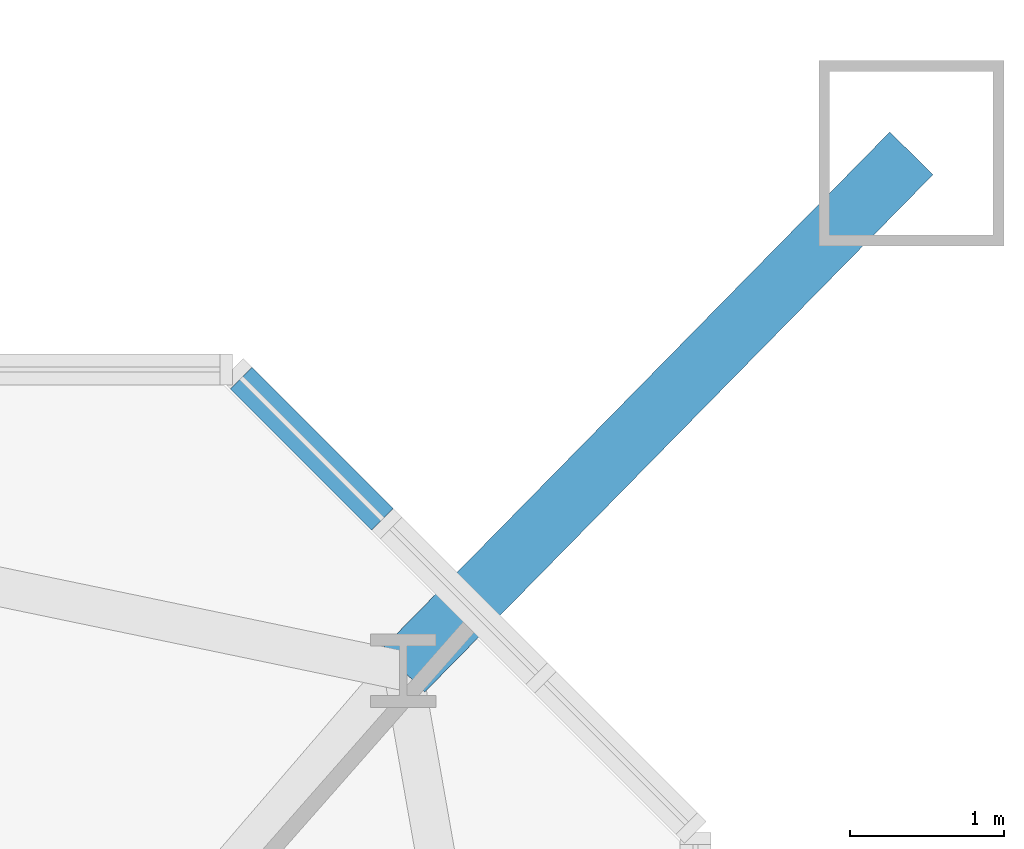
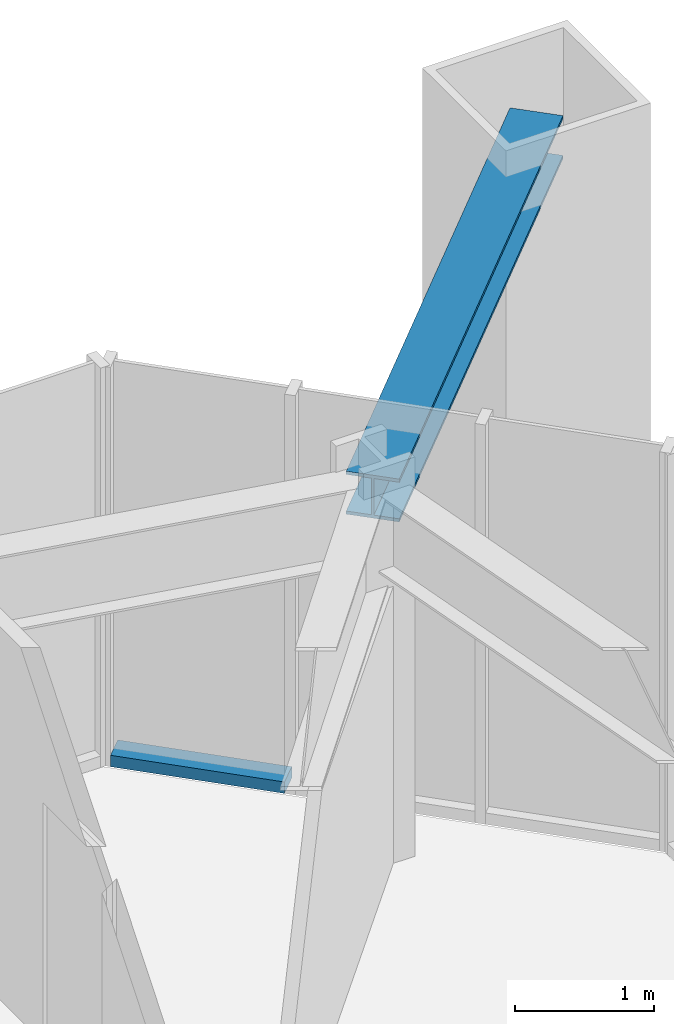
# One storey, part 11 of 26: 2 members, 1 element without a shape of its own.
"""IFC4 building model written with IfcOpenShell, lengths in metres."""

import ifcopenshell
import ifcopenshell.guid

model = None  # the IFC model being written
_history = None  # IfcOwnerHistory: only IFC2X3 demands one
_inside = {}  # id of a spatial element -> (the spatial element, [elements in it])
_under = {}  # id of a project, library or spatial element -> (it, [spatial elements below it])
_declared = {}  # id of a project -> (the project, [libraries it declares])
_typed = {}  # id of a type object -> (the type object, [elements of that type])
_made_of = {}  # id of a material, layer set ... -> (it, [elements and type objects made of it])


def new_model(schema):
    """Start an empty IFC model of exactly this schema.

    Asked for "IFC4X3", IfcOpenShell would pick the latest addendum, in which some entities
    have other attributes; the version numbers below select the first issue.
    IFC2X3 requires an IfcOwnerHistory on every rooted entity: one is made here for all.
    """
    global model, _history
    if schema == "IFC4X3":
        model = ifcopenshell.file(schema_version=(4, 3, 0, 0))
    else:
        model = ifcopenshell.file(schema=schema)
    _inside.clear()
    _under.clear()
    _declared.clear()
    _typed.clear()
    _made_of.clear()
    _history = None
    if model.schema == "IFC2X3":
        org = make("IfcOrganization", Name="unknown")
        user = make(
            "IfcPersonAndOrganization",
            ThePerson=make("IfcPerson", FamilyName="unknown"),
            TheOrganization=org,
        )
        app = make(
            "IfcApplication",
            ApplicationDeveloper=org,
            Version="unknown",
            ApplicationFullName="unknown",
            ApplicationIdentifier="unknown",
        )
        _history = make(
            "IfcOwnerHistory",
            OwningUser=user,
            OwningApplication=app,
            ChangeAction="ADDED",
            CreationDate=0,
        )
    return model


def make(cls, **values):
    """One entity of the class cls with the attributes given. An attribute that is None is left unset."""
    return model.create_entity(
        cls, **{name: value for name, value in values.items() if value is not None}
    )


def rooted(cls, **values):
    """An entity with a GlobalId (a new one), such as an element, a storey or a relation."""
    return make(cls, GlobalId=ifcopenshell.guid.new(), OwnerHistory=_history, **values)


def si_unit(unit_type, name, prefix=None):
    """IfcSIUnit, for example si_unit("LENGTHUNIT", "METRE", prefix="MILLI")."""
    return make("IfcSIUnit", UnitType=unit_type, Prefix=prefix, Name=name)


def assignment(units):
    """IfcUnitAssignment: the units of a project."""
    return None if units is None else make("IfcUnitAssignment", Units=units)


def point(xyz):
    """IfcCartesianPoint."""
    return None if xyz is None else make("IfcCartesianPoint", Coordinates=xyz)


def direction(xyz):
    """IfcDirection."""
    return None if xyz is None else make("IfcDirection", DirectionRatios=xyz)


def frame(location, z_axis=None, x_axis=None):
    """IfcAxis2Placement3D, a coordinate frame: its origin and axes. An axis left out is left unset."""
    return make(
        "IfcAxis2Placement3D",
        Location=point(location),
        Axis=direction(z_axis),
        RefDirection=direction(x_axis),
    )


def frame_2d(location, x_axis=None):
    """IfcAxis2Placement2D, a coordinate frame in the plane: its origin and x axis."""
    return make(
        "IfcAxis2Placement2D", Location=point(location), RefDirection=direction(x_axis)
    )


def origin():
    """The frame at (0, 0, 0) with its axes left unset."""
    return frame((0.0, 0.0, 0.0))


def origin_2d():
    """The frame at (0, 0) in the plane with its x axis left unset."""
    return frame_2d((0.0, 0.0))


def place(relative_to, where):
    """IfcLocalPlacement: puts the frame where relative to a parent placement (None: the world)."""
    return make(
        "IfcLocalPlacement", PlacementRelTo=relative_to, RelativePlacement=where
    )


def context(
    kind, dimensions, precision=None, world=None, true_north=None, identifier=None
):
    """IfcGeometricRepresentationContext, for example the 3D "Model" context."""
    return make(
        "IfcGeometricRepresentationContext",
        ContextIdentifier=identifier,
        ContextType=kind,
        CoordinateSpaceDimension=dimensions,
        Precision=precision,
        WorldCoordinateSystem=world,
        TrueNorth=true_north,
    )


def subcontext(parent, identifier, kind, view, scale=None):
    """IfcGeometricRepresentationSubContext, for example "Body" below "Model"."""
    return make(
        "IfcGeometricRepresentationSubContext",
        ContextIdentifier=identifier,
        ContextType=kind,
        ParentContext=parent,
        TargetScale=scale,
        TargetView=view,
    )


def project(units=None, contexts=None):
    """IfcProject with its units and contexts."""
    return rooted(
        "IfcProject",
        Name="project",
        RepresentationContexts=contexts,
        UnitsInContext=assignment(units),
    )


def spatial(cls, under=None, at=None, **own):
    """A site, building, storey or space (cls), placed at a placement, below another one or the project."""
    s = rooted(cls, ObjectPlacement=at, **own)
    if under is not None:
        _under.setdefault(under.id(), (under, []))[1].append(s)
    return s


def profile(cls, at=None, kind="AREA", **sizes):
    """A parametric profile (cls). Its sizes go by their IFC names, for example OverallWidth=200.0."""
    return make(cls, ProfileType=kind, Position=at, **sizes)


def rectangle(**sizes):
    """IfcRectangleProfileDef."""
    return profile("IfcRectangleProfileDef", **sizes)


def i_section(**sizes):
    """IfcIShapeProfileDef."""
    return profile("IfcIShapeProfileDef", **sizes)


def extrude(swept, where, along, depth):
    """IfcExtrudedAreaSolid: the profile swept, set in the frame where, extruded along a direction by depth."""
    return make(
        "IfcExtrudedAreaSolid",
        SweptArea=swept,
        Position=where,
        ExtrudedDirection=direction(along),
        Depth=depth,
    )


def shape(context_of_items, identifier, shape_type, items):
    """IfcShapeRepresentation: the items that make up one representation, for example the "Body"."""
    return make(
        "IfcShapeRepresentation",
        ContextOfItems=context_of_items,
        RepresentationIdentifier=identifier,
        RepresentationType=shape_type,
        Items=items,
    )


def material(Name=None, Category=None):
    """IfcMaterial."""
    return make("IfcMaterial", Name=Name, Category=Category)


def material_profile(
    of_material, cross_section, Name=None, Category=None, Priority=None
):
    """IfcMaterialProfile: a cross section and its material."""
    return make(
        "IfcMaterialProfile",
        Name=Name,
        Material=of_material,
        Profile=cross_section,
        Priority=Priority,
        Category=Category,
    )


def profile_set(profiles, Name=None, composite=None):
    """IfcMaterialProfileSet."""
    return make(
        "IfcMaterialProfileSet",
        Name=Name,
        MaterialProfiles=profiles,
        CompositeProfile=composite,
    )


def made_of(thing, what):
    """Note that an element or type object is made of a material, layer set ...; save() writes the relation."""
    if what is not None:
        _made_of.setdefault(what.id(), (what, []))[1].append(thing)
    return thing


def type_object(cls, material=None, **own):
    """A type object (cls), such as IfcWallType, which elements share."""
    return made_of(rooted(cls, **own), material)


def element(
    cls,
    number,
    at=None,
    inside=None,
    cuts=None,
    type_object=None,
    material=None,
    context=None,
    identifier="Body",
    shape_type=None,
    held_by="IfcProductDefinitionShape",
    body=None,
    shapes=None,
    **own,
):
    """One element of the class cls, such as IfcWall. Its Tag is "e" and its number.

    at: its placement. inside: the storey or other place that contains it. cuts: it is an
    opening in that element (IfcRelVoidsElement). A single representation is given by context,
    identifier, shape_type and body (its items); several are given by shapes. held_by: the class
    of the entity that holds the representations. save() writes the other relations.
    """
    e = rooted(cls, Tag="e%d" % number, ObjectPlacement=at, **own)
    if body is not None:
        shapes = [shape(context, identifier, shape_type, body)]
    if shapes is not None:
        e.Representation = make(held_by, Representations=shapes)
    if inside is not None:
        _inside.setdefault(inside.id(), (inside, []))[1].append(e)
    if cuts is not None:
        rooted(
            "IfcRelVoidsElement", RelatingBuildingElement=cuts, RelatedOpeningElement=e
        )
    if type_object is not None:
        _typed.setdefault(type_object.id(), (type_object, []))[1].append(e)
    return made_of(e, material)


def aggregate(whole, parts):
    """IfcRelAggregates: a whole, such as a stair, and the parts it consists of."""
    return rooted("IfcRelAggregates", RelatingObject=whole, RelatedObjects=parts)


def save(model, path):
    """Write the relations noted so far, then the file.

    IfcRelAggregates (storeys below a building ...), IfcRelContainedInSpatialStructure (elements
    in a storey), IfcRelDefinesByType, IfcRelAssociatesMaterial and IfcRelDeclares: one each for
    every whole, place, type object, material and project.
    """
    for whole, parts in _under.values():
        aggregate(whole, parts)
    for where, things in _inside.values():
        rooted(
            "IfcRelContainedInSpatialStructure",
            RelatedElements=things,
            RelatingStructure=where,
        )
    for kind, things in _typed.values():
        rooted("IfcRelDefinesByType", RelatedObjects=things, RelatingType=kind)
    for what, things in _made_of.values():
        rooted("IfcRelAssociatesMaterial", RelatedObjects=things, RelatingMaterial=what)
    for by, libraries in _declared.values():
        rooted("IfcRelDeclares", RelatingContext=by, RelatedDefinitions=libraries)
    model.write(path)


model = new_model("IFC4")

# Units and contexts
model_context = context("Model", 3, precision=1e-05, world=origin(), true_north=direction((0.0, 1.0)))
body_context = subcontext(model_context, "Body", "Model", "MODEL_VIEW")
ifc_project = project(units=[si_unit("LENGTHUNIT", "METRE"), si_unit("AREAUNIT", "SQUARE_METRE"), si_unit("VOLUMEUNIT", "CUBIC_METRE"), si_unit("PLANEANGLEUNIT", "RADIAN"), si_unit("MASSUNIT", "GRAM", prefix="KILO")], contexts=[model_context])

# Site, building, storey
site_placement = place(None, origin())
site = spatial("IfcSite", under=ifc_project, at=site_placement, CompositionType="ELEMENT")
building_placement = place(site_placement, origin())
building = spatial("IfcBuilding", under=site, at=building_placement, Name="Iwan Alto Co-Living Towers", CompositionType="ELEMENT")
storey_placement = place(building_placement, frame((0.0, 0.0, 57.0)))
storey = spatial("IfcBuildingStorey", under=building, at=storey_placement, Name="L15", CompositionType="ELEMENT", Elevation=57.0)

# Curtain wall, member
ifc_material_1 = material(Name="Bronze aluminium unitised frame", Category="aluminium")
curtain_wall_type = type_object("IfcCurtainWallType", Name="CURTAIN WALL CW-D", PredefinedType="NOTDEFINED", material=ifc_material_1)
curtain_wall_placement = place(storey_placement, origin())
curtain_wall = element("IfcCurtainWall", 1, at=curtain_wall_placement, inside=storey, type_object=curtain_wall_type, Name="T2 chamfer curtain wall NE L15", PredefinedType="NOTDEFINED")
ifc_material_2 = material(Name="Aluminium 6063-T6 bronze anodised", Category="aluminium")
ifc_material_profile_1 = material_profile(ifc_material_2, rectangle(XDim=0.199951171875, YDim=0.10009765625, at=origin_2d()), Name="AL 200X100")
ifc_profile_set_1 = profile_set([ifc_material_profile_1], Name="Aluminium 6063-T6 bronze anodised")
member_type_1 = type_object("IfcMemberType", Name="CW-D TRANSOM 200X100", PredefinedType="USERDEFINED", material=ifc_profile_set_1)
member_1_placement = place(storey_placement, frame((77.4716796875, 17.7783203125, 0.050048828125), z_axis=(-0.707106781187, 0.707106781187, 0.0), x_axis=(-0.707106781187, -0.707106781187, 0.0)))
member_1 = element("IfcMember", 2, at=member_1_placement, type_object=member_type_1, Name="CW-D transom 3.1", ObjectType="TRANSOM", PredefinedType="USERDEFINED", context=body_context, shape_type="SweptSolid", body=[
    extrude(rectangle(XDim=0.199951171875, YDim=0.10009765625, at=origin_2d()), origin(), (0.0, 0.0, 1.0), 1.2939453125),
])
aggregate(curtain_wall, [member_1])

# Member
ifc_material_3 = material(Name="Steel ASTM A992 Gr 50", Category="steel")
ifc_material_profile_2 = material_profile(ifc_material_3, i_section(OverallWidth=0.393798828125, OverallDepth=0.3759765625, WebThickness=0.017333984375, FlangeThickness=0.027587890625, at=origin_2d()), Name="W14X145")
ifc_profile_set_2 = profile_set([ifc_material_profile_2], Name="Steel ASTM A992 Gr 50")
member_type_2 = type_object("IfcMemberType", Name="T2 MEGA COLUMN FLOOR TIE W14X145", PredefinedType="STRUT", material=ifc_profile_set_2)
member_2_placement = place(storey_placement, frame((80.89990234375, 20.14990234375, 3.08203125), z_axis=(-0.700793469544, -0.71336422187, 0.0), x_axis=(0.71336422187, -0.700793469544, 0.0)))
element("IfcMember", 3, at=member_2_placement, inside=storey, type_object=member_type_2, Name="T2 mega column floor tie NE L16", PredefinedType="STRUT", context=body_context, shape_type="SweptSolid", body=[
    extrude(i_section(OverallWidth=0.393798828125, OverallDepth=0.3759765625, WebThickness=0.017333984375, FlangeThickness=0.027587890625, at=origin_2d()), origin(), (0.0, 0.0, 1.0), 4.699951171875),
])

save(model, "model.ifc")
